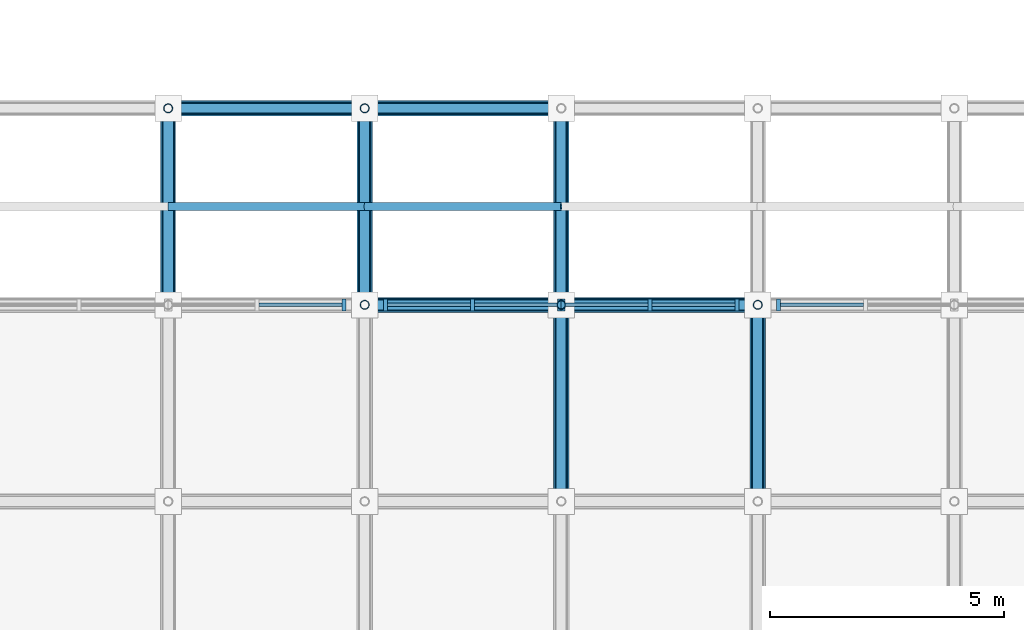
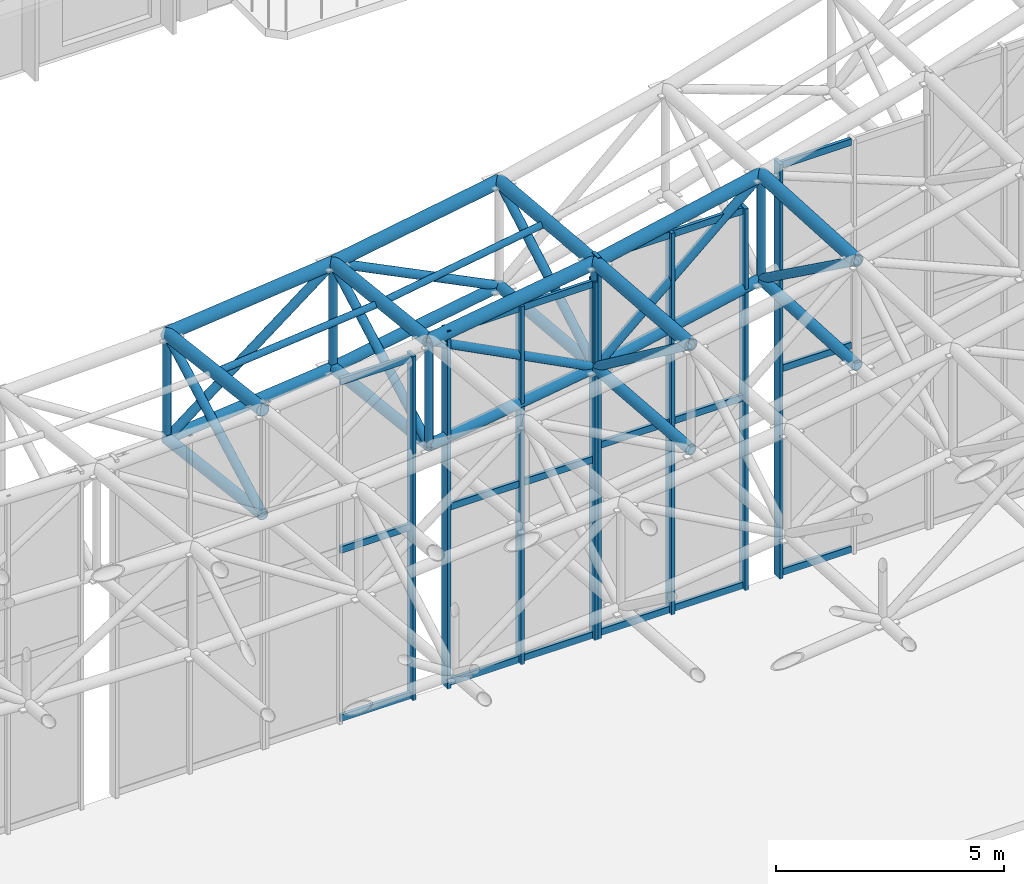
# One storey, part 51 of 93: 60 members, 4 elements without a shape of their own.
"""IFC4 building model written with IfcOpenShell, lengths in metres."""

from ifc_helpers import new_model, si_unit, direction, frame, origin, origin_2d, place, context, subcontext, project, spatial, rectangle, hollow_circle, extrude, material, material_profile, profile_set, type_object, element, aggregate, save


model = new_model("IFC4")

# Units and contexts
model_context = context("Model", 3, precision=1e-05, world=origin(), true_north=direction((0.0, 1.0)))
body_context = subcontext(model_context, "Body", "Model", "MODEL_VIEW")
ifc_project = project(units=[si_unit("LENGTHUNIT", "METRE"), si_unit("AREAUNIT", "SQUARE_METRE"), si_unit("VOLUMEUNIT", "CUBIC_METRE"), si_unit("PLANEANGLEUNIT", "RADIAN"), si_unit("MASSUNIT", "GRAM", prefix="KILO")], contexts=[model_context])

# Site, building, storey
site_placement = place(None, origin())
site = spatial("IfcSite", under=ifc_project, at=site_placement, CompositionType="ELEMENT")
building_placement = place(site_placement, origin())
building = spatial("IfcBuilding", under=site, at=building_placement, Name="Cumbredor Promenade Congress Hotel", CompositionType="ELEMENT")
storey_placement = place(building_placement, frame((0.0, 0.0, 21.840087890625)))
storey = spatial("IfcBuildingStorey", under=building, at=storey_placement, Name="L06", CompositionType="ELEMENT", Elevation=21.840087890625)

# Curtain wall, member
ifc_material_1 = material(Name="Thermally broken anodized aluminium and low-E glass", Category="aluminium")
curtain_wall_type = type_object("IfcCurtainWallType", Name="Stepped Pavilion Clerestory Curtain Wall CW-06", PredefinedType="NOTDEFINED", material=ifc_material_1)
curtain_wall_1_placement = place(storey_placement, origin())
curtain_wall_1 = element("IfcCurtainWall", 1, at=curtain_wall_1_placement, inside=storey, type_object=curtain_wall_type, Name="Plenary Congress Hall N Glazed Clerestory 8", PredefinedType="NOTDEFINED")
ifc_material_2 = material(Name="Thermally broken anodized aluminium", Category="aluminium")
ifc_material_profile_1 = material_profile(ifc_material_2, rectangle(XDim=0.0849609375, YDim=0.260009765625, at=origin_2d()), Name="ALU MULLION CLERESTORY 85x260")
ifc_profile_set_1 = profile_set([ifc_material_profile_1], Name="Thermally broken anodized aluminium")
member_type_1 = type_object("IfcMemberType", Name="Curtain Wall Mullion ML-04", PredefinedType="MULLION", material=ifc_profile_set_1)
member_1_placement = place(storey_placement, frame((41.56005859375, 67.199951171875, -0.01806640625), z_axis=(0.0, 0.0, 1.0), x_axis=(1.0, 0.0, 0.0)))
member_1 = element("IfcMember", 2, at=member_1_placement, type_object=member_type_1, Name="Plenary Congress Hall N Glazed Clerestory 8 Mullion 3", PredefinedType="MULLION", context=body_context, shape_type="SweptSolid", body=[
    extrude(rectangle(XDim=0.0849609375, YDim=0.260009765625, at=origin_2d()), origin(), (0.0, 0.0, 1.0), 9.20068359375),
])

# Curtain wall, members
curtain_wall_2_placement = place(storey_placement, origin())
curtain_wall_2 = element("IfcCurtainWall", 3, at=curtain_wall_2_placement, inside=storey, type_object=curtain_wall_type, Name="Plenary Congress Hall N Glazed Clerestory 9", PredefinedType="NOTDEFINED")
member_2_placement = place(storey_placement, frame((42.43994140625, 67.199951171875, -0.01806640625), z_axis=(0.0, 0.0, 1.0), x_axis=(1.0, 0.0, 0.0)))
member_2 = element("IfcMember", 4, at=member_2_placement, type_object=member_type_1, Name="Plenary Congress Hall N Glazed Clerestory 9 Mullion 1", PredefinedType="MULLION", context=body_context, shape_type="SweptSolid", body=[
    extrude(rectangle(XDim=0.0849609375, YDim=0.260009765625, at=origin_2d()), origin(), (0.0, 0.0, 1.0), 9.578369140625),
])
member_3_placement = place(storey_placement, frame((44.300048828125, 67.199951171875, -0.01806640625), z_axis=(0.0, 0.0, 1.0), x_axis=(1.0, 0.0, 0.0)))
member_3 = element("IfcMember", 5, at=member_3_placement, type_object=member_type_1, Name="Plenary Congress Hall N Glazed Clerestory 9 Mullion 2", PredefinedType="MULLION", context=body_context, shape_type="SweptSolid", body=[
    extrude(rectangle(XDim=0.0849609375, YDim=0.260009765625, at=origin_2d()), origin(), (0.0, 0.0, 1.0), 9.578369140625),
])
member_4_placement = place(storey_placement, frame((46.159912109375, 67.199951171875, -0.01806640625), z_axis=(0.0, 0.0, 1.0), x_axis=(1.0, 0.0, 0.0)))
member_4 = element("IfcMember", 6, at=member_4_placement, type_object=member_type_1, Name="Plenary Congress Hall N Glazed Clerestory 9 Mullion 3", PredefinedType="MULLION", context=body_context, shape_type="SweptSolid", body=[
    extrude(rectangle(XDim=0.0849609375, YDim=0.260009765625, at=origin_2d()), origin(), (0.0, 0.0, 1.0), 9.578369140625),
])

curtain_wall_3_placement = place(storey_placement, origin())
curtain_wall_3 = element("IfcCurtainWall", 7, at=curtain_wall_3_placement, inside=storey, type_object=curtain_wall_type, Name="Plenary Congress Hall N Glazed Clerestory 10", PredefinedType="NOTDEFINED")
member_5_placement = place(storey_placement, frame((46.239990234375, 67.199951171875, -0.01806640625), z_axis=(0.0, 0.0, 1.0), x_axis=(1.0, 0.0, 0.0)))
member_5 = element("IfcMember", 8, at=member_5_placement, type_object=member_type_1, Name="Plenary Congress Hall N Glazed Clerestory 10 Mullion 1", PredefinedType="MULLION", context=body_context, shape_type="SweptSolid", body=[
    extrude(rectangle(XDim=0.0849609375, YDim=0.260009765625, at=origin_2d()), origin(), (0.0, 0.0, 1.0), 10.208251953125),
])
member_6_placement = place(storey_placement, frame((48.10009765625, 67.199951171875, -0.01806640625), z_axis=(0.0, 0.0, 1.0), x_axis=(1.0, 0.0, 0.0)))
member_6 = element("IfcMember", 9, at=member_6_placement, type_object=member_type_1, Name="Plenary Congress Hall N Glazed Clerestory 10 Mullion 2", PredefinedType="MULLION", context=body_context, shape_type="SweptSolid", body=[
    extrude(rectangle(XDim=0.0849609375, YDim=0.260009765625, at=origin_2d()), origin(), (0.0, 0.0, 1.0), 10.208251953125),
])
member_7_placement = place(storey_placement, frame((49.9599609375, 67.199951171875, -0.01806640625), z_axis=(0.0, 0.0, 1.0), x_axis=(1.0, 0.0, 0.0)))
member_7 = element("IfcMember", 10, at=member_7_placement, type_object=member_type_1, Name="Plenary Congress Hall N Glazed Clerestory 10 Mullion 3", PredefinedType="MULLION", context=body_context, shape_type="SweptSolid", body=[
    extrude(rectangle(XDim=0.0849609375, YDim=0.260009765625, at=origin_2d()), origin(), (0.0, 0.0, 1.0), 10.208251953125),
])

# Curtain wall, member
curtain_wall_4_placement = place(storey_placement, origin())
curtain_wall_4 = element("IfcCurtainWall", 11, at=curtain_wall_4_placement, inside=storey, type_object=curtain_wall_type, Name="Plenary Congress Hall N Glazed Clerestory 11", PredefinedType="NOTDEFINED")
member_8_placement = place(storey_placement, frame((50.840087890625, 67.199951171875, -0.01806640625), z_axis=(0.0, 0.0, 1.0), x_axis=(1.0, 0.0, 0.0)))
member_8 = element("IfcMember", 12, at=member_8_placement, type_object=member_type_1, Name="Plenary Congress Hall N Glazed Clerestory 11 Mullion 1", PredefinedType="MULLION", context=body_context, shape_type="SweptSolid", body=[
    extrude(rectangle(XDim=0.0849609375, YDim=0.260009765625, at=origin_2d()), origin(), (0.0, 0.0, 1.0), 11.090087890625),
])

# Member
ifc_material_profile_2 = material_profile(ifc_material_2, rectangle(XDim=0.080078125, YDim=0.179931640625, at=origin_2d()), Name="ALU TRANSOM 80x180")
ifc_profile_set_2 = profile_set([ifc_material_profile_2], Name="Thermally broken anodized aluminium")
member_type_2 = type_object("IfcMemberType", Name="Curtain Wall Transom TR-03", PredefinedType="USERDEFINED", material=ifc_profile_set_2)
member_9_placement = place(storey_placement, frame((39.742431640625, 67.199951171875, 0.079833984375), z_axis=(1.0, 0.0, 0.0), x_axis=(0.0, 1.0, 0.0)))
member_9 = element("IfcMember", 13, at=member_9_placement, type_object=member_type_2, Name="Plenary Congress Hall N Glazed Clerestory 8 Transom 2.1", ObjectType="TRANSOM", PredefinedType="USERDEFINED", context=body_context, shape_type="SweptSolid", body=[
    extrude(rectangle(XDim=0.080078125, YDim=0.179931640625, at=origin_2d()), origin(), (0.0, 0.0, 1.0), 1.775146484375),
])

member_10_placement = place(storey_placement, frame((39.742431640625, 67.199951171875, 4.579833984375), z_axis=(1.0, 0.0, 0.0), x_axis=(0.0, 1.0, 0.0)))
member_10 = element("IfcMember", 14, at=member_10_placement, type_object=member_type_2, Name="Plenary Congress Hall N Glazed Clerestory 8 Transom 2.2", ObjectType="TRANSOM", PredefinedType="USERDEFINED", context=body_context, shape_type="SweptSolid", body=[
    extrude(rectangle(XDim=0.080078125, YDim=0.179931640625, at=origin_2d()), origin(), (0.0, 0.0, 1.0), 1.775146484375),
])

member_11_placement = place(storey_placement, frame((39.742431640625, 67.199951171875, 9.079833984375), z_axis=(1.0, 0.0, 0.0), x_axis=(0.0, 1.0, 0.0)))
member_11 = element("IfcMember", 15, at=member_11_placement, type_object=member_type_2, Name="Plenary Congress Hall N Glazed Clerestory 8 Transom 2.3", ObjectType="TRANSOM", PredefinedType="USERDEFINED", context=body_context, shape_type="SweptSolid", body=[
    extrude(rectangle(XDim=0.080078125, YDim=0.179931640625, at=origin_2d()), origin(), (0.0, 0.0, 1.0), 1.775146484375),
])

aggregate(curtain_wall_1, [member_1, member_9, member_10, member_11])

member_12_placement = place(storey_placement, frame((42.482421875, 67.199951171875, 0.079833984375), z_axis=(1.0, 0.0, 0.0), x_axis=(0.0, 1.0, 0.0)))
member_12 = element("IfcMember", 16, at=member_12_placement, type_object=member_type_2, Name="Plenary Congress Hall N Glazed Clerestory 9 Transom 1.1", ObjectType="TRANSOM", PredefinedType="USERDEFINED", context=body_context, shape_type="SweptSolid", body=[
    extrude(rectangle(XDim=0.080078125, YDim=0.179931640625, at=origin_2d()), origin(), (0.0, 0.0, 1.0), 1.775146484375),
])

member_13_placement = place(storey_placement, frame((42.482421875, 67.199951171875, 4.77001953125), z_axis=(1.0, 0.0, 0.0), x_axis=(0.0, 1.0, 0.0)))
member_13 = element("IfcMember", 17, at=member_13_placement, type_object=member_type_2, Name="Plenary Congress Hall N Glazed Clerestory 9 Transom 1.2", ObjectType="TRANSOM", PredefinedType="USERDEFINED", context=body_context, shape_type="SweptSolid", body=[
    extrude(rectangle(XDim=0.080078125, YDim=0.179931640625, at=origin_2d()), origin(), (0.0, 0.0, 1.0), 1.775146484375),
])

member_14_placement = place(storey_placement, frame((42.482421875, 67.199951171875, 9.4599609375), z_axis=(1.0, 0.0, 0.0), x_axis=(0.0, 1.0, 0.0)))
member_14 = element("IfcMember", 18, at=member_14_placement, type_object=member_type_2, Name="Plenary Congress Hall N Glazed Clerestory 9 Transom 1.3", ObjectType="TRANSOM", PredefinedType="USERDEFINED", context=body_context, shape_type="SweptSolid", body=[
    extrude(rectangle(XDim=0.080078125, YDim=0.179931640625, at=origin_2d()), origin(), (0.0, 0.0, 1.0), 1.775146484375),
])

member_15_placement = place(storey_placement, frame((44.342529296875, 67.199951171875, 0.079833984375), z_axis=(1.0, 0.0, 0.0), x_axis=(0.0, 1.0, 0.0)))
member_15 = element("IfcMember", 19, at=member_15_placement, type_object=member_type_2, Name="Plenary Congress Hall N Glazed Clerestory 9 Transom 2.1", ObjectType="TRANSOM", PredefinedType="USERDEFINED", context=body_context, shape_type="SweptSolid", body=[
    extrude(rectangle(XDim=0.080078125, YDim=0.179931640625, at=origin_2d()), origin(), (0.0, 0.0, 1.0), 1.77490234375),
])

member_16_placement = place(storey_placement, frame((44.342529296875, 67.199951171875, 4.77001953125), z_axis=(1.0, 0.0, 0.0), x_axis=(0.0, 1.0, 0.0)))
member_16 = element("IfcMember", 20, at=member_16_placement, type_object=member_type_2, Name="Plenary Congress Hall N Glazed Clerestory 9 Transom 2.2", ObjectType="TRANSOM", PredefinedType="USERDEFINED", context=body_context, shape_type="SweptSolid", body=[
    extrude(rectangle(XDim=0.080078125, YDim=0.179931640625, at=origin_2d()), origin(), (0.0, 0.0, 1.0), 1.77490234375),
])

member_17_placement = place(storey_placement, frame((44.342529296875, 67.199951171875, 9.4599609375), z_axis=(1.0, 0.0, 0.0), x_axis=(0.0, 1.0, 0.0)))
member_17 = element("IfcMember", 21, at=member_17_placement, type_object=member_type_2, Name="Plenary Congress Hall N Glazed Clerestory 9 Transom 2.3", ObjectType="TRANSOM", PredefinedType="USERDEFINED", context=body_context, shape_type="SweptSolid", body=[
    extrude(rectangle(XDim=0.080078125, YDim=0.179931640625, at=origin_2d()), origin(), (0.0, 0.0, 1.0), 1.77490234375),
])

aggregate(curtain_wall_2, [member_2, member_3, member_4, member_12, member_13, member_14, member_15, member_16, member_17])

member_18_placement = place(storey_placement, frame((46.282470703125, 67.199951171875, 0.079833984375), z_axis=(1.0, 0.0, 0.0), x_axis=(0.0, 1.0, 0.0)))
member_18 = element("IfcMember", 22, at=member_18_placement, type_object=member_type_2, Name="Plenary Congress Hall N Glazed Clerestory 10 Transom 1.1", ObjectType="TRANSOM", PredefinedType="USERDEFINED", context=body_context, shape_type="SweptSolid", body=[
    extrude(rectangle(XDim=0.080078125, YDim=0.179931640625, at=origin_2d()), origin(), (0.0, 0.0, 1.0), 1.775146484375),
])

member_19_placement = place(storey_placement, frame((46.282470703125, 67.199951171875, 5.08984375), z_axis=(1.0, 0.0, 0.0), x_axis=(0.0, 1.0, 0.0)))
member_19 = element("IfcMember", 23, at=member_19_placement, type_object=member_type_2, Name="Plenary Congress Hall N Glazed Clerestory 10 Transom 1.2", ObjectType="TRANSOM", PredefinedType="USERDEFINED", context=body_context, shape_type="SweptSolid", body=[
    extrude(rectangle(XDim=0.080078125, YDim=0.179931640625, at=origin_2d()), origin(), (0.0, 0.0, 1.0), 1.775146484375),
])

member_20_placement = place(storey_placement, frame((46.282470703125, 67.199951171875, 10.08984375), z_axis=(1.0, 0.0, 0.0), x_axis=(0.0, 1.0, 0.0)))
member_20 = element("IfcMember", 24, at=member_20_placement, type_object=member_type_2, Name="Plenary Congress Hall N Glazed Clerestory 10 Transom 1.3", ObjectType="TRANSOM", PredefinedType="USERDEFINED", context=body_context, shape_type="SweptSolid", body=[
    extrude(rectangle(XDim=0.080078125, YDim=0.179931640625, at=origin_2d()), origin(), (0.0, 0.0, 1.0), 1.775146484375),
])

member_21_placement = place(storey_placement, frame((48.142578125, 67.199951171875, 0.079833984375), z_axis=(1.0, 0.0, 0.0), x_axis=(0.0, 1.0, 0.0)))
member_21 = element("IfcMember", 25, at=member_21_placement, type_object=member_type_2, Name="Plenary Congress Hall N Glazed Clerestory 10 Transom 2.1", ObjectType="TRANSOM", PredefinedType="USERDEFINED", context=body_context, shape_type="SweptSolid", body=[
    extrude(rectangle(XDim=0.080078125, YDim=0.179931640625, at=origin_2d()), origin(), (0.0, 0.0, 1.0), 1.77490234375),
])

member_22_placement = place(storey_placement, frame((48.142578125, 67.199951171875, 5.08984375), z_axis=(1.0, 0.0, 0.0), x_axis=(0.0, 1.0, 0.0)))
member_22 = element("IfcMember", 26, at=member_22_placement, type_object=member_type_2, Name="Plenary Congress Hall N Glazed Clerestory 10 Transom 2.2", ObjectType="TRANSOM", PredefinedType="USERDEFINED", context=body_context, shape_type="SweptSolid", body=[
    extrude(rectangle(XDim=0.080078125, YDim=0.179931640625, at=origin_2d()), origin(), (0.0, 0.0, 1.0), 1.77490234375),
])

member_23_placement = place(storey_placement, frame((48.142578125, 67.199951171875, 10.08984375), z_axis=(1.0, 0.0, 0.0), x_axis=(0.0, 1.0, 0.0)))
member_23 = element("IfcMember", 27, at=member_23_placement, type_object=member_type_2, Name="Plenary Congress Hall N Glazed Clerestory 10 Transom 2.3", ObjectType="TRANSOM", PredefinedType="USERDEFINED", context=body_context, shape_type="SweptSolid", body=[
    extrude(rectangle(XDim=0.080078125, YDim=0.179931640625, at=origin_2d()), origin(), (0.0, 0.0, 1.0), 1.77490234375),
])

aggregate(curtain_wall_3, [member_5, member_6, member_7, member_18, member_19, member_20, member_21, member_22, member_23])

member_24_placement = place(storey_placement, frame((50.882568359375, 67.199951171875, 0.079833984375), z_axis=(1.0, 0.0, 0.0), x_axis=(0.0, 1.0, 0.0)))
member_24 = element("IfcMember", 28, at=member_24_placement, type_object=member_type_2, Name="Plenary Congress Hall N Glazed Clerestory 11 Transom 1.1", ObjectType="TRANSOM", PredefinedType="USERDEFINED", context=body_context, shape_type="SweptSolid", body=[
    extrude(rectangle(XDim=0.080078125, YDim=0.179931640625, at=origin_2d()), origin(), (0.0, 0.0, 1.0), 1.77490234375),
])

member_25_placement = place(storey_placement, frame((50.882568359375, 67.199951171875, 5.530029296875), z_axis=(1.0, 0.0, 0.0), x_axis=(0.0, 1.0, 0.0)))
member_25 = element("IfcMember", 29, at=member_25_placement, type_object=member_type_2, Name="Plenary Congress Hall N Glazed Clerestory 11 Transom 1.2", ObjectType="TRANSOM", PredefinedType="USERDEFINED", context=body_context, shape_type="SweptSolid", body=[
    extrude(rectangle(XDim=0.080078125, YDim=0.179931640625, at=origin_2d()), origin(), (0.0, 0.0, 1.0), 1.77490234375),
])

member_26_placement = place(storey_placement, frame((50.882568359375, 67.199951171875, 10.969970703125), z_axis=(1.0, 0.0, 0.0), x_axis=(0.0, 1.0, 0.0)))
member_26 = element("IfcMember", 30, at=member_26_placement, type_object=member_type_2, Name="Plenary Congress Hall N Glazed Clerestory 11 Transom 1.3", ObjectType="TRANSOM", PredefinedType="USERDEFINED", context=body_context, shape_type="SweptSolid", body=[
    extrude(rectangle(XDim=0.080078125, YDim=0.179931640625, at=origin_2d()), origin(), (0.0, 0.0, 1.0), 1.77490234375),
])

aggregate(curtain_wall_4, [member_8, member_24, member_25, member_26])

# Members
ifc_material_3 = material(Name="Steel ASTM A500 Grade C", Category="steel")
ifc_material_profile_3 = material_profile(ifc_material_3, hollow_circle(Radius=0.136474609375, WallThickness=0.01611328125, at=origin_2d()), Name="CHS 273.0x16")
ifc_profile_set_3 = profile_set([ifc_material_profile_3], Name="Steel ASTM A500 Grade C")
member_type_3 = type_object("IfcMemberType", Name="Plenary Roof Space Frame Bottom Chord", PredefinedType="CHORD", material=ifc_profile_set_3)
member_27_placement = place(storey_placement, frame((42.0, 67.199951171875, 6.572509765625), z_axis=(0.988940147497, 0.0, 0.148315153202), x_axis=(0.0, 1.0, 0.0)))
element("IfcMember", 31, at=member_27_placement, inside=storey, type_object=member_type_3, Name="Plenary Congress Hall X Bottom Chord 12.17", PredefinedType="CHORD", context=body_context, shape_type="SweptSolid", body=[
    extrude(hollow_circle(Radius=0.136474609375, WallThickness=0.01611328125, at=origin_2d()), origin(), (0.0, 0.0, 1.0), 4.246826171875),
])
member_28_placement = place(storey_placement, frame((46.199951171875, 67.199951171875, 7.202392578125), z_axis=(0.978672143388, 0.0, 0.20542842003), x_axis=(0.0, 1.0, 0.0)))
element("IfcMember", 32, at=member_28_placement, inside=storey, type_object=member_type_3, Name="Plenary Congress Hall X Bottom Chord 13.17", PredefinedType="CHORD", context=body_context, shape_type="SweptSolid", body=[
    extrude(hollow_circle(Radius=0.136474609375, WallThickness=0.01611328125, at=origin_2d()), origin(), (0.0, 0.0, 1.0), 4.29150390625),
])
member_29_placement = place(storey_placement, frame((37.800048828125, 71.39990234375, 5.679931640625), z_axis=(0.994854027888, 0.0, 0.101318622151), x_axis=(0.0, 1.0, 0.0)))
element("IfcMember", 33, at=member_29_placement, inside=storey, type_object=member_type_3, Name="Plenary Congress Hall X Bottom Chord 11.18", PredefinedType="CHORD", context=body_context, shape_type="SweptSolid", body=[
    extrude(hollow_circle(Radius=0.136474609375, WallThickness=0.01611328125, at=origin_2d()), origin(), (0.0, 0.0, 1.0), 4.2216796875),
])
member_30_placement = place(storey_placement, frame((42.0, 71.39990234375, 6.107666015625), z_axis=(0.98588906313, 0.0, 0.167399985665), x_axis=(0.0, 1.0, 0.0)))
element("IfcMember", 34, at=member_30_placement, inside=storey, type_object=member_type_3, Name="Plenary Congress Hall X Bottom Chord 12.18", PredefinedType="CHORD", context=body_context, shape_type="SweptSolid", body=[
    extrude(hollow_circle(Radius=0.136474609375, WallThickness=0.01611328125, at=origin_2d()), origin(), (0.0, 0.0, 1.0), 4.260009765625),
])
member_31_placement = place(storey_placement, frame((37.800048828125, 67.199951171875, 6.19482421875), z_axis=(0.0, 0.992568905848, -0.121683882022), x_axis=(-1.0, 0.0, 0.0)))
element("IfcMember", 35, at=member_31_placement, inside=storey, type_object=member_type_3, Name="Plenary Congress Hall Y Bottom Chord 11.17", PredefinedType="CHORD", context=body_context, shape_type="SweptSolid", body=[
    extrude(hollow_circle(Radius=0.136474609375, WallThickness=0.01611328125, at=origin_2d()), origin(), (0.0, 0.0, 1.0), 4.2314453125),
])
member_32_placement = place(storey_placement, frame((42.0, 67.199951171875, 6.572509765625), z_axis=(0.0, 0.993930851571, -0.110006646596), x_axis=(-1.0, 0.0, 0.0)))
element("IfcMember", 36, at=member_32_placement, inside=storey, type_object=member_type_3, Name="Plenary Congress Hall Y Bottom Chord 12.17", PredefinedType="CHORD", context=body_context, shape_type="SweptSolid", body=[
    extrude(hollow_circle(Radius=0.136474609375, WallThickness=0.01611328125, at=origin_2d()), origin(), (0.0, 0.0, 1.0), 4.2255859375),
])
member_33_placement = place(storey_placement, frame((46.199951171875, 63.0, 7.53759765625), z_axis=(0.0, 0.996830184947, -0.079558672553), x_axis=(-1.0, 0.0, 0.0)))
element("IfcMember", 37, at=member_33_placement, inside=storey, type_object=member_type_3, Name="Plenary Congress Hall Y Bottom Chord 13.16", PredefinedType="CHORD", context=body_context, shape_type="SweptSolid", body=[
    extrude(hollow_circle(Radius=0.136474609375, WallThickness=0.01611328125, at=origin_2d()), origin(), (0.0, 0.0, 1.0), 4.21337890625),
])
member_34_placement = place(storey_placement, frame((46.199951171875, 67.199951171875, 7.202392578125), z_axis=(0.0, 0.995897950259, -0.090483549163), x_axis=(-1.0, 0.0, 0.0)))
element("IfcMember", 38, at=member_34_placement, inside=storey, type_object=member_type_3, Name="Plenary Congress Hall Y Bottom Chord 13.17", PredefinedType="CHORD", context=body_context, shape_type="SweptSolid", body=[
    extrude(hollow_circle(Radius=0.136474609375, WallThickness=0.01611328125, at=origin_2d()), origin(), (0.0, 0.0, 1.0), 4.21728515625),
])
member_35_placement = place(storey_placement, frame((50.39990234375, 63.0, 8.318115234375), z_axis=(0.0, 0.998449798831, -0.055659673143), x_axis=(-1.0, 0.0, 0.0)))
element("IfcMember", 39, at=member_35_placement, inside=storey, type_object=member_type_3, Name="Plenary Congress Hall Y Bottom Chord 14.16", PredefinedType="CHORD", context=body_context, shape_type="SweptSolid", body=[
    extrude(hollow_circle(Radius=0.136474609375, WallThickness=0.01611328125, at=origin_2d()), origin(), (0.0, 0.0, 1.0), 4.20654296875),
])
ifc_material_profile_4 = material_profile(ifc_material_3, hollow_circle(Radius=0.161865234375, WallThickness=0.01611328125, at=origin_2d()), Name="CHS 323.9x16")
ifc_profile_set_4 = profile_set([ifc_material_profile_4], Name="Steel ASTM A500 Grade C")
member_type_4 = type_object("IfcMemberType", Name="Plenary Roof Space Frame Top Chord", PredefinedType="CHORD", material=ifc_profile_set_4)
member_36_placement = place(storey_placement, frame((42.0, 67.199951171875, 9.37255859375), z_axis=(0.988948577791, 0.0, 0.148258930542), x_axis=(0.0, 1.0, 0.0)))
element("IfcMember", 40, at=member_36_placement, inside=storey, type_object=member_type_4, Name="Plenary Congress Hall X Top Chord 12.17", PredefinedType="CHORD", context=body_context, shape_type="SweptSolid", body=[
    extrude(hollow_circle(Radius=0.161865234375, WallThickness=0.01611328125, at=origin_2d()), origin(), (0.0, 0.0, 1.0), 4.246826171875),
])
member_37_placement = place(storey_placement, frame((46.199951171875, 67.199951171875, 10.002197265625), z_axis=(0.978660704513, 0.0, 0.205482907906), x_axis=(0.0, 1.0, 0.0)))
element("IfcMember", 41, at=member_37_placement, inside=storey, type_object=member_type_4, Name="Plenary Congress Hall X Top Chord 13.17", PredefinedType="CHORD", context=body_context, shape_type="SweptSolid", body=[
    extrude(hollow_circle(Radius=0.161865234375, WallThickness=0.01611328125, at=origin_2d()), origin(), (0.0, 0.0, 1.0), 4.29150390625),
])
member_38_placement = place(storey_placement, frame((37.800048828125, 71.39990234375, 8.47998046875), z_axis=(0.994854027888, 0.0, 0.101318622151), x_axis=(0.0, 1.0, 0.0)))
element("IfcMember", 42, at=member_38_placement, inside=storey, type_object=member_type_4, Name="Plenary Congress Hall X Top Chord 11.18", PredefinedType="CHORD", context=body_context, shape_type="SweptSolid", body=[
    extrude(hollow_circle(Radius=0.161865234375, WallThickness=0.01611328125, at=origin_2d()), origin(), (0.0, 0.0, 1.0), 4.2216796875),
])
member_39_placement = place(storey_placement, frame((42.0, 71.39990234375, 8.90771484375), z_axis=(0.98588906313, 0.0, 0.167399985665), x_axis=(0.0, 1.0, 0.0)))
element("IfcMember", 43, at=member_39_placement, inside=storey, type_object=member_type_4, Name="Plenary Congress Hall X Top Chord 12.18", PredefinedType="CHORD", context=body_context, shape_type="SweptSolid", body=[
    extrude(hollow_circle(Radius=0.161865234375, WallThickness=0.01611328125, at=origin_2d()), origin(), (0.0, 0.0, 1.0), 4.260009765625),
])
member_40_placement = place(storey_placement, frame((37.800048828125, 67.199951171875, 8.99462890625), z_axis=(0.0, 0.992575872944, -0.121627038317), x_axis=(-1.0, 0.0, 0.0)))
element("IfcMember", 44, at=member_40_placement, inside=storey, type_object=member_type_4, Name="Plenary Congress Hall Y Top Chord 11.17", PredefinedType="CHORD", context=body_context, shape_type="SweptSolid", body=[
    extrude(hollow_circle(Radius=0.161865234375, WallThickness=0.01611328125, at=origin_2d()), origin(), (0.0, 0.0, 1.0), 4.2314453125),
])
member_41_placement = place(storey_placement, frame((42.0, 67.199951171875, 9.37255859375), z_axis=(0.0, 0.993930851571, -0.110006646596), x_axis=(-1.0, 0.0, 0.0)))
element("IfcMember", 45, at=member_41_placement, inside=storey, type_object=member_type_4, Name="Plenary Congress Hall Y Top Chord 12.17", PredefinedType="CHORD", context=body_context, shape_type="SweptSolid", body=[
    extrude(hollow_circle(Radius=0.161865234375, WallThickness=0.01611328125, at=origin_2d()), origin(), (0.0, 0.0, 1.0), 4.2255859375),
])
member_42_placement = place(storey_placement, frame((46.199951171875, 63.0, 10.337646484375), z_axis=(0.0, 0.99682558788, -0.079616250523), x_axis=(-1.0, 0.0, 0.0)))
element("IfcMember", 46, at=member_42_placement, inside=storey, type_object=member_type_4, Name="Plenary Congress Hall Y Top Chord 13.16", PredefinedType="CHORD", context=body_context, shape_type="SweptSolid", body=[
    extrude(hollow_circle(Radius=0.161865234375, WallThickness=0.01611328125, at=origin_2d()), origin(), (0.0, 0.0, 1.0), 4.21337890625),
])
member_43_placement = place(storey_placement, frame((46.199951171875, 67.199951171875, 10.002197265625), z_axis=(0.0, 0.995903165323, -0.090426131735), x_axis=(-1.0, 0.0, 0.0)))
element("IfcMember", 47, at=member_43_placement, inside=storey, type_object=member_type_4, Name="Plenary Congress Hall Y Top Chord 13.17", PredefinedType="CHORD", context=body_context, shape_type="SweptSolid", body=[
    extrude(hollow_circle(Radius=0.161865234375, WallThickness=0.01611328125, at=origin_2d()), origin(), (0.0, 0.0, 1.0), 4.21728515625),
])
member_44_placement = place(storey_placement, frame((50.39990234375, 63.0, 11.1181640625), z_axis=(0.0, 0.998449798831, -0.055659673143), x_axis=(-1.0, 0.0, 0.0)))
element("IfcMember", 48, at=member_44_placement, inside=storey, type_object=member_type_4, Name="Plenary Congress Hall Y Top Chord 14.16", PredefinedType="CHORD", context=body_context, shape_type="SweptSolid", body=[
    extrude(hollow_circle(Radius=0.161865234375, WallThickness=0.01611328125, at=origin_2d()), origin(), (0.0, 0.0, 1.0), 4.20654296875),
])
ifc_material_profile_5 = material_profile(ifc_material_3, hollow_circle(Radius=0.084228515625, WallThickness=0.010009765625, at=origin_2d()), Name="CHS 168.3x10")
ifc_profile_set_5 = profile_set([ifc_material_profile_5], Name="Steel ASTM A500 Grade C")
member_type_5 = type_object("IfcMemberType", Name="Roof Purlin CHS168", PredefinedType="PURLIN", material=ifc_profile_set_5)
member_45_placement = place(storey_placement, frame((37.800048828125, 69.300048828125, 8.71728515625), z_axis=(0.995431794438, 0.0, 0.095475350859), x_axis=(0.0, 1.0, 0.0)))
element("IfcMember", 49, at=member_45_placement, inside=storey, type_object=member_type_5, Name="Plenary Congress Hall Roof Eave Purlin 11.17", PredefinedType="PURLIN", context=body_context, shape_type="SweptSolid", body=[
    extrude(hollow_circle(Radius=0.084228515625, WallThickness=0.010009765625, at=origin_2d()), origin(), (0.0, 0.0, 1.0), 4.21923828125),
])
member_46_placement = place(storey_placement, frame((42.0, 69.300048828125, 9.1201171875), z_axis=(0.987462830201, 0.0, 0.1578516993), x_axis=(0.0, 1.0, 0.0)))
element("IfcMember", 50, at=member_46_placement, inside=storey, type_object=member_type_5, Name="Plenary Congress Hall Roof Eave Purlin 12.17", PredefinedType="PURLIN", context=body_context, shape_type="SweptSolid", body=[
    extrude(hollow_circle(Radius=0.084228515625, WallThickness=0.010009765625, at=origin_2d()), origin(), (0.0, 0.0, 1.0), 4.253173828125),
])
ifc_material_profile_6 = material_profile(ifc_material_3, hollow_circle(Radius=0.109619140625, WallThickness=0.012451171875, at=origin_2d()), Name="CHS 219.1x12.5")
ifc_profile_set_6 = profile_set([ifc_material_profile_6], Name="Steel ASTM A500 Grade C")
member_type_6 = type_object("IfcMemberType", Name="Space Frame Web Diagonal D1", PredefinedType="BRACE", material=ifc_profile_set_6)
member_47_placement = place(storey_placement, frame((42.0, 67.199951171875, 9.37255859375), z_axis=(0.888409409152, 0.0, -0.459051981512), x_axis=(0.0, 1.0, 0.0)))
element("IfcMember", 51, at=member_47_placement, inside=storey, type_object=member_type_6, Name="Plenary Congress Hall X Web Diagonal 12.17", PredefinedType="BRACE", context=body_context, shape_type="SweptSolid", body=[
    extrude(hollow_circle(Radius=0.109619140625, WallThickness=0.012451171875, at=origin_2d()), origin(), (0.0, 0.0, 1.0), 4.7275390625),
])
member_48_placement = place(storey_placement, frame((46.199951171875, 67.199951171875, 7.202392578125), z_axis=(0.751983371698, 0.0, 0.659182075522), x_axis=(0.0, 1.0, 0.0)))
element("IfcMember", 52, at=member_48_placement, inside=storey, type_object=member_type_6, Name="Plenary Congress Hall X Web Diagonal 13.17", PredefinedType="BRACE", context=body_context, shape_type="SweptSolid", body=[
    extrude(hollow_circle(Radius=0.109619140625, WallThickness=0.012451171875, at=origin_2d()), origin(), (0.0, 0.0, 1.0), 5.585205078125),
])
member_49_placement = place(storey_placement, frame((37.800048828125, 71.39990234375, 5.679931640625), z_axis=(0.79289291533, 0.0, 0.609360997127), x_axis=(0.0, 1.0, 0.0)))
element("IfcMember", 53, at=member_49_placement, inside=storey, type_object=member_type_6, Name="Plenary Congress Hall X Web Diagonal 11.18", PredefinedType="BRACE", context=body_context, shape_type="SweptSolid", body=[
    extrude(hollow_circle(Radius=0.109619140625, WallThickness=0.012451171875, at=origin_2d()), origin(), (0.0, 0.0, 1.0), 5.296875),
])
member_50_placement = place(storey_placement, frame((42.0, 71.39990234375, 8.90771484375), z_axis=(0.895538438057, 0.0, -0.444984163722), x_axis=(0.0, 1.0, 0.0)))
element("IfcMember", 54, at=member_50_placement, inside=storey, type_object=member_type_6, Name="Plenary Congress Hall X Web Diagonal 12.18", PredefinedType="BRACE", context=body_context, shape_type="SweptSolid", body=[
    extrude(hollow_circle(Radius=0.109619140625, WallThickness=0.012451171875, at=origin_2d()), origin(), (0.0, 0.0, 1.0), 4.68994140625),
])
member_51_placement = place(storey_placement, frame((37.800048828125, 67.199951171875, 6.19482421875), z_axis=(0.0, 0.87839854046, 0.477928869308), x_axis=(-1.0, 0.0, 0.0)))
element("IfcMember", 55, at=member_51_placement, inside=storey, type_object=member_type_6, Name="Plenary Congress Hall Y Web Diagonal 11.17", PredefinedType="BRACE", context=body_context, shape_type="SweptSolid", body=[
    extrude(hollow_circle(Radius=0.109619140625, WallThickness=0.012451171875, at=origin_2d()), origin(), (0.0, 0.0, 1.0), 4.781494140625),
])
member_52_placement = place(storey_placement, frame((42.0, 67.199951171875, 6.572509765625), z_axis=(0.0, 0.873989473329, 0.485944853363), x_axis=(-1.0, 0.0, 0.0)))
element("IfcMember", 56, at=member_52_placement, inside=storey, type_object=member_type_6, Name="Plenary Congress Hall Y Web Diagonal 12.17", PredefinedType="BRACE", context=body_context, shape_type="SweptSolid", body=[
    extrude(hollow_circle(Radius=0.109619140625, WallThickness=0.012451171875, at=origin_2d()), origin(), (0.0, 0.0, 1.0), 4.805419921875),
])
member_53_placement = place(storey_placement, frame((46.199951171875, 63.0, 10.337646484375), z_axis=(0.0, 0.801345126561, -0.598202297), x_axis=(-1.0, 0.0, 0.0)))
element("IfcMember", 57, at=member_53_placement, inside=storey, type_object=member_type_6, Name="Plenary Congress Hall Y Web Diagonal 13.16", PredefinedType="BRACE", context=body_context, shape_type="SweptSolid", body=[
    extrude(hollow_circle(Radius=0.109619140625, WallThickness=0.012451171875, at=origin_2d()), origin(), (0.0, 0.0, 1.0), 5.2412109375),
])
member_54_placement = place(storey_placement, frame((46.199951171875, 67.199951171875, 7.202392578125), z_axis=(0.0, 0.866595392244, 0.499011448908), x_axis=(-1.0, 0.0, 0.0)))
element("IfcMember", 58, at=member_54_placement, inside=storey, type_object=member_type_6, Name="Plenary Congress Hall Y Web Diagonal 13.17", PredefinedType="BRACE", context=body_context, shape_type="SweptSolid", body=[
    extrude(hollow_circle(Radius=0.109619140625, WallThickness=0.012451171875, at=origin_2d()), origin(), (0.0, 0.0, 1.0), 4.846435546875),
])
member_55_placement = place(storey_placement, frame((50.39990234375, 63.0, 11.1181640625), z_axis=(0.0, 0.810598457886, -0.585602373691), x_axis=(-1.0, 0.0, 0.0)))
element("IfcMember", 59, at=member_55_placement, inside=storey, type_object=member_type_6, Name="Plenary Congress Hall Y Web Diagonal 14.16", PredefinedType="BRACE", context=body_context, shape_type="SweptSolid", body=[
    extrude(hollow_circle(Radius=0.109619140625, WallThickness=0.012451171875, at=origin_2d()), origin(), (0.0, 0.0, 1.0), 5.181396484375),
])
ifc_material_profile_7 = material_profile(ifc_material_3, hollow_circle(Radius=0.096923828125, WallThickness=0.010009765625, at=origin_2d()), Name="CHS 193.7x10")
ifc_profile_set_7 = profile_set([ifc_material_profile_7], Name="Steel ASTM A500 Grade C")
member_type_7 = type_object("IfcMemberType", Name="Space Frame Web Post P1", PredefinedType="BRACE", material=ifc_profile_set_7)
for number, where, z_axis, x_axis, name in (
    (60, (37.800048828125, 71.39990234375, 5.679931640625), (0.0, 0.0, 1.0), (1.0, 0.0, 0.0), "Plenary Congress Hall Space Frame Web Post 11.18"),
    (61, (42.0, 67.199951171875, 6.572509765625), (0.0, 0.0, 1.0), (1.0, 0.0, 0.0), "Plenary Congress Hall Space Frame Web Post 12.17"),
    (62, (42.0, 71.39990234375, 6.107666015625), (0.0, 0.0, 1.0), (1.0, 0.0, 0.0), "Plenary Congress Hall Space Frame Web Post 12.18"),
):
    element("IfcMember", number, at=place(storey_placement, frame(where, z_axis=z_axis, x_axis=x_axis)), inside=storey, type_object=member_type_7, Name=name, PredefinedType="BRACE", context=body_context, shape_type="SweptSolid", body=[
        extrude(hollow_circle(Radius=0.096923828125, WallThickness=0.010009765625, at=origin_2d()), origin(), (0.0, 0.0, 1.0), 2.800048828125),
    ])
member_56_placement = place(storey_placement, frame((46.199951171875, 67.199951171875, 7.202392578125), z_axis=(0.0, 0.0, 1.0), x_axis=(1.0, 0.0, 0.0)))
element("IfcMember", 63, at=member_56_placement, inside=storey, type_object=member_type_7, Name="Plenary Congress Hall Space Frame Web Post 13.17", PredefinedType="BRACE", context=body_context, shape_type="SweptSolid", body=[
    extrude(hollow_circle(Radius=0.096923828125, WallThickness=0.010009765625, at=origin_2d()), origin(), (0.0, 0.0, 1.0), 2.7998046875),
])
member_57_placement = place(storey_placement, frame((50.39990234375, 67.199951171875, 8.083984375), z_axis=(0.0, 0.0, 1.0), x_axis=(1.0, 0.0, 0.0)))
element("IfcMember", 64, at=member_57_placement, inside=storey, type_object=member_type_7, Name="Plenary Congress Hall Space Frame Web Post 14.17", PredefinedType="BRACE", context=body_context, shape_type="SweptSolid", body=[
    extrude(hollow_circle(Radius=0.096923828125, WallThickness=0.010009765625, at=origin_2d()), origin(), (0.0, 0.0, 1.0), 2.800048828125),
])

save(model, "model.ifc")
